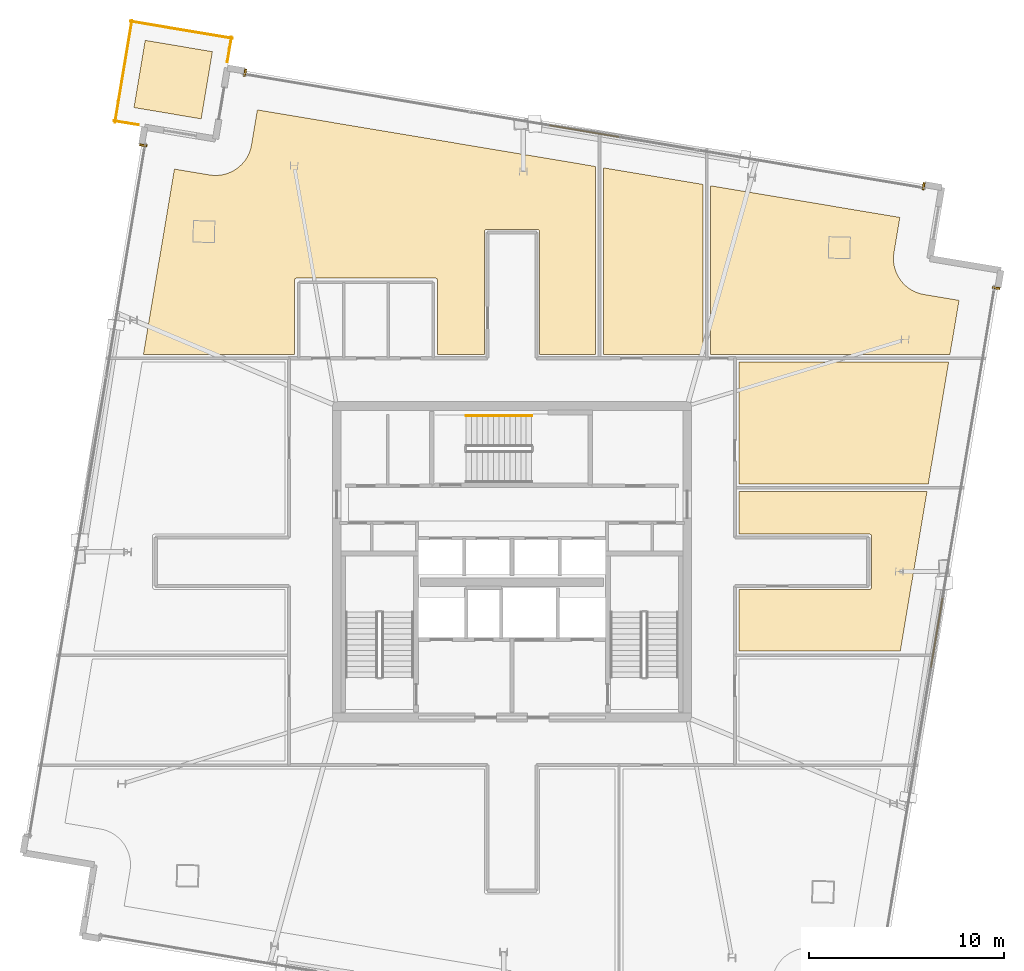
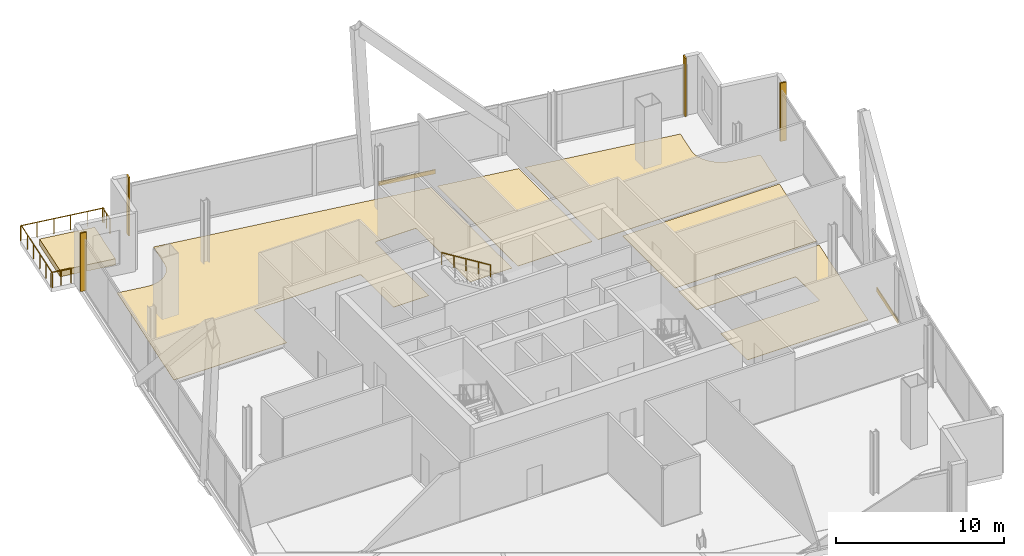
# One storey, part 18 of 18: 12 coverings, 5 railings.
"""IFC4 building model written with IfcOpenShell, lengths in metres."""

from ifc_helpers import new_model, si_unit, direction, frame, origin, origin_2d, place, context, subcontext, project, spatial, polyline, rectangle, outline, extrude, source, transform, mapped, material, layer, layer_set, type_object, element, save


model = new_model("IFC4")

# Units and contexts
model_context = context("Model", 3, precision=1e-05, world=origin(), true_north=direction((0.0, 1.0)))
body_context = subcontext(model_context, "Body", "Model", "MODEL_VIEW")
ifc_project = project(units=[si_unit("LENGTHUNIT", "METRE"), si_unit("AREAUNIT", "SQUARE_METRE"), si_unit("VOLUMEUNIT", "CUBIC_METRE"), si_unit("PLANEANGLEUNIT", "RADIAN"), si_unit("MASSUNIT", "GRAM", prefix="KILO")], contexts=[model_context])

# Site, building, storey
site_placement = place(None, origin())
site = spatial("IfcSite", under=ifc_project, at=site_placement, CompositionType="ELEMENT")
building_placement = place(site_placement, origin())
building = spatial("IfcBuilding", under=site, at=building_placement, Name="Haldenkirk Collegiate Tower", CompositionType="ELEMENT")
storey_placement = place(building_placement, frame((0.0, 0.0, 298.199951171875)))
storey = spatial("IfcBuildingStorey", under=building, at=storey_placement, Name="L75", CompositionType="ELEMENT", Elevation=298.199951171875)

# Coverings
ifc_material_1 = material(Name="Polished collegiate terrazzo", Category="concrete")
ifc_layer_1 = layer(ifc_material_1, 0.02490234375)
ifc_layer_set_1 = layer_set([ifc_layer_1], Name="Polished collegiate terrazzo")
covering_type_1 = type_object("IfcCoveringType", Name="COV-FLOOR-TERRAZZO", PredefinedType="FLOORING", material=ifc_layer_set_1)
covering_1_placement = place(storey_placement, origin())
element("IfcCovering", 1, at=covering_1_placement, inside=storey, type_object=covering_type_1, Name="L75 academic room finish 04", PredefinedType="FLOORING", context=body_context, shape_type="SweptSolid", body=[
    extrude(outline(polyline([(45.800048828125, 45.37841796875), (45.800048828125, 36.64990234375), (40.699951171875, 36.64990234375), (40.699951171875, 46.231689453125), (45.800048828125, 45.37841796875)])), origin(), (0.0, 0.0, 1.0), 0.025146484375),
])
covering_2_placement = place(storey_placement, origin())
element("IfcCovering", 2, at=covering_2_placement, inside=storey, type_object=covering_type_1, Name="L75 academic room finish 10", PredefinedType="FLOORING", context=body_context, shape_type="SweptSolid", body=[
    extrude(outline(polyline([(57.383544921875, 30.0), (47.64990234375, 30.0), (47.64990234375, 36.25), (58.429443359375, 36.25), (57.383544921875, 30.0)])), origin(), (0.0, 0.0, 1.0), 0.025146484375),
])
ifc_material_2 = material(Name="Engineered collegiate oak acoustic flooring", Category="wood")
ifc_layer_2 = layer(ifc_material_2, 0.02197265625)
ifc_layer_set_2 = layer_set([ifc_layer_2], Name="Engineered collegiate oak acoustic flooring")
covering_type_2 = type_object("IfcCoveringType", Name="COV-FLOOR-TIMBER", PredefinedType="FLOORING", material=ifc_layer_set_2)
covering_3_placement = place(storey_placement, origin())
element("IfcCovering", 3, at=covering_3_placement, inside=storey, type_object=covering_type_2, Name="L75 academic room finish 03", PredefinedType="FLOORING", context=body_context, shape_type="SweptSolid", body=[
    extrude(outline(polyline([(20.4658203125, 45.8662109375), (20.4716796875, 45.865478515625), (20.64208984375, 45.845458984375), (20.654052734375, 45.8447265625), (20.82568359375, 45.841552734375), (20.83740234375, 45.841796875), (21.0087890625, 45.855712890625), (21.020263671875, 45.857177734375), (21.189453125, 45.887451171875), (21.20068359375, 45.89013671875), (21.365966796875, 45.936767578125), (21.377197265625, 45.940673828125), (21.537109375, 46.00341796875), (21.5478515625, 46.00830078125), (21.70068359375, 46.086181640625), (21.7109375, 46.09228515625), (21.85546875, 46.18505859375), (21.864990234375, 46.19189453125), (22.0, 46.29833984375), (22.0087890625, 46.30615234375), (22.13232421875, 46.42529296875), (22.140380859375, 46.433837890625), (22.251708984375, 46.564453125), (22.259033203125, 46.57373046875), (22.357177734375, 46.71484375), (22.36328125, 46.724853515625), (22.447021484375, 46.874755859375), (22.452392578125, 46.88525390625), (22.52099609375, 47.042724609375), (22.525146484375, 47.0537109375), (22.578125, 47.217041015625), (22.5810546875, 47.228515625), (22.61767578125, 47.396240234375), (22.618896484375, 47.402099609375), (22.9208984375, 49.206787109375), (40.300048828125, 46.298583984375), (40.300048828125, 36.64990234375), (37.419921875, 36.64990234375), (37.419921875, 42.949951171875), (37.41943359375, 42.9619140625), (37.417724609375, 42.973388671875), (37.414794921875, 42.98486328125), (37.410888671875, 42.995849609375), (37.40576171875, 43.006591796875), (37.39990234375, 43.0166015625), (37.392822265625, 43.026123046875), (37.385009765625, 43.034912109375), (37.376220703125, 43.042724609375), (37.36669921875, 43.0498046875), (37.356689453125, 43.055908203125), (37.345947265625, 43.060791015625), (37.334716796875, 43.064697265625), (37.323486328125, 43.067626953125), (37.311767578125, 43.0693359375), (37.300048828125, 43.070068359375), (34.699951171875, 43.070068359375), (34.688232421875, 43.0693359375), (34.676513671875, 43.067626953125), (34.665283203125, 43.064697265625), (34.654052734375, 43.060791015625), (34.643310546875, 43.055908203125), (34.63330078125, 43.0498046875), (34.623779296875, 43.042724609375), (34.614990234375, 43.034912109375), (34.607177734375, 43.026123046875), (34.60009765625, 43.0166015625), (34.59423828125, 43.006591796875), (34.589111328125, 42.995849609375), (34.585205078125, 42.98486328125), (34.582275390625, 42.973388671875), (34.58056640625, 42.9619140625), (34.580078125, 42.949951171875), (34.580078125, 36.64990234375), (32.169921875, 36.64990234375), (32.169921875, 40.449951171875), (32.16943359375, 40.4619140625), (32.167724609375, 40.473388671875), (32.164794921875, 40.48486328125), (32.160888671875, 40.495849609375), (32.15576171875, 40.506591796875), (32.14990234375, 40.5166015625), (32.142822265625, 40.526123046875), (32.135009765625, 40.534912109375), (32.126220703125, 40.542724609375), (32.11669921875, 40.5498046875), (32.106689453125, 40.555908203125), (32.095947265625, 40.560791015625), (32.084716796875, 40.564697265625), (32.073486328125, 40.567626953125), (32.061767578125, 40.5693359375), (32.050048828125, 40.570068359375), (24.949951171875, 40.570068359375), (24.938232421875, 40.5693359375), (24.926513671875, 40.567626953125), (24.915283203125, 40.564697265625), (24.904052734375, 40.560791015625), (24.893310546875, 40.555908203125), (24.88330078125, 40.5498046875), (24.873779296875, 40.542724609375), (24.864990234375, 40.534912109375), (24.857177734375, 40.526123046875), (24.85009765625, 40.5166015625), (24.84423828125, 40.506591796875), (24.839111328125, 40.495849609375), (24.835205078125, 40.48486328125), (24.832275390625, 40.473388671875), (24.83056640625, 40.4619140625), (24.830078125, 40.449951171875), (24.830078125, 36.64990234375), (17.068115234375, 36.64990234375), (18.660888671875, 46.16845703125), (20.4658203125, 45.8662109375)])), origin(), (0.0, 0.0, 1.0), 0.02197265625),
])
covering_4_placement = place(storey_placement, origin())
element("IfcCovering", 4, at=covering_4_placement, inside=storey, type_object=covering_type_2, Name="L75 academic room finish 05", PredefinedType="FLOORING", context=body_context, shape_type="SweptSolid", body=[
    extrude(outline(polyline([(55.922119140625, 43.6845703125), (55.619873046875, 41.87939453125), (55.619140625, 41.873779296875), (55.59912109375, 41.703125), (55.598388671875, 41.69140625), (55.59521484375, 41.519775390625), (55.595458984375, 41.5078125), (55.609130859375, 41.336669921875), (55.610595703125, 41.3251953125), (55.64111328125, 41.156005859375), (55.643798828125, 41.14453125), (55.6904296875, 40.9794921875), (55.694091796875, 40.968017578125), (55.757080078125, 40.80810546875), (55.76171875, 40.797607421875), (55.83984375, 40.64453125), (55.845703125, 40.634521484375), (55.938720703125, 40.489990234375), (55.9453125, 40.480224609375), (56.052001953125, 40.345458984375), (56.059814453125, 40.336669921875), (56.1787109375, 40.212890625), (56.1875, 40.205078125), (56.318115234375, 40.093505859375), (56.327392578125, 40.08642578125), (56.468505859375, 39.98828125), (56.478515625, 39.98193359375), (56.62841796875, 39.898193359375), (56.638916015625, 39.89306640625), (56.79638671875, 39.824462890625), (56.807373046875, 39.8203125), (56.970703125, 39.767333984375), (56.982177734375, 39.764404296875), (57.14990234375, 39.727783203125), (57.15576171875, 39.7265625), (58.960693359375, 39.424560546875), (58.496337890625, 36.64990234375), (46.199951171875, 36.64990234375), (46.199951171875, 45.311279296875), (55.922119140625, 43.6845703125)])), origin(), (0.0, 0.0, 1.0), 0.02197265625),
])
covering_5_placement = place(storey_placement, origin())
element("IfcCovering", 5, at=covering_5_placement, inside=storey, type_object=covering_type_2, Name="L75 academic room finish 09", PredefinedType="FLOORING", context=body_context, shape_type="SweptSolid", body=[
    extrude(outline(polyline([(54.35009765625, 24.580078125), (54.36181640625, 24.58056640625), (54.373291015625, 24.582275390625), (54.384765625, 24.585205078125), (54.39599609375, 24.589111328125), (54.406494140625, 24.59423828125), (54.416748046875, 24.60009765625), (54.426025390625, 24.607177734375), (54.434814453125, 24.614990234375), (54.44287109375, 24.623779296875), (54.44970703125, 24.63330078125), (54.455810546875, 24.643310546875), (54.4609375, 24.654052734375), (54.46484375, 24.665283203125), (54.4677734375, 24.676513671875), (54.469482421875, 24.688232421875), (54.469970703125, 24.699951171875), (54.469970703125, 27.300048828125), (54.469482421875, 27.311767578125), (54.4677734375, 27.323486328125), (54.46484375, 27.334716796875), (54.4609375, 27.345947265625), (54.455810546875, 27.356689453125), (54.44970703125, 27.36669921875), (54.44287109375, 27.376220703125), (54.434814453125, 27.385009765625), (54.426025390625, 27.392822265625), (54.416748046875, 27.39990234375), (54.406494140625, 27.40576171875), (54.39599609375, 27.410888671875), (54.384765625, 27.414794921875), (54.373291015625, 27.417724609375), (54.36181640625, 27.41943359375), (54.35009765625, 27.419921875), (47.64990234375, 27.419921875), (47.64990234375, 29.60009765625), (57.31640625, 29.60009765625), (55.9443359375, 21.39990234375), (47.64990234375, 21.39990234375), (47.64990234375, 24.580078125), (54.35009765625, 24.580078125)])), origin(), (0.0, 0.0, 1.0), 0.02197265625),
])
ifc_material_3 = material(Name="Precast concrete f'c 40 MPa", Category="concrete")
ifc_layer_3 = layer(ifc_material_3, 0.449951171875)
ifc_layer_set_3 = layer_set([ifc_layer_3], Name="Precast concrete f'c 40 MPa")
covering_type_3 = type_object("IfcCoveringType", Name="COV-PLANTER-450", PredefinedType="USERDEFINED", material=ifc_layer_set_3)
covering_6_placement = place(storey_placement, origin())
element("IfcCovering", 6, at=covering_6_placement, inside=storey, type_object=covering_type_3, Name="L75 planted garden planter bed", ObjectType="PLANTER", PredefinedType="USERDEFINED", context=body_context, shape_type="SweptSolid", body=[
    extrude(outline(polyline([(20.035400390625, 48.746826171875), (16.58349609375, 49.324462890625), (17.160888671875, 52.776611328125), (20.613037109375, 52.198974609375), (20.035400390625, 48.746826171875)])), origin(), (0.0, 0.0, 1.0), 0.449951171875),
])

# Railings
ifc_material_4 = material(Name="Painted architectural tubular steel", Category="steel")
railing_type_1 = type_object("IfcRailingType", Name="RLG-STAIR-HANDRAIL-900", PredefinedType="HANDRAIL", material=ifc_material_4)
railing_1_placement = place(storey_placement, frame((37.010009765625, 33.5, 2.423095703125)))
element("IfcRailing", 7, at=railing_1_placement, inside=storey, type_object=railing_type_1, Name="L75 ST-3 stair handrail 2", PredefinedType="HANDRAIL", context=body_context, shape_type="SweptSolid", body=[
    extrude(rectangle(XDim=0.048095703125, YDim=0.048095703125, at=origin_2d()), frame((0.0, 0.0, 0.8759765625), z_axis=(-0.850623216509, 0.0, 0.525775754039), x_axis=(0.0, -1.0, 0.0)), (0.0, 0.0, 1.0), 3.9501953125),
    extrude(rectangle(XDim=0.0419921875, YDim=0.0419921875, at=origin_2d()), origin(), (0.0, 0.0, 1.0), 0.851806640625),
    extrude(rectangle(XDim=0.0419921875, YDim=0.0419921875, at=origin_2d()), frame((-0.840087890625, 0.0, 0.519287109375)), (0.0, 0.0, 1.0), 0.851806640625),
    extrude(rectangle(XDim=0.0419921875, YDim=0.0419921875, at=origin_2d()), frame((-1.68017578125, 0.0, 1.03857421875)), (0.0, 0.0, 1.0), 0.851806640625),
    extrude(rectangle(XDim=0.0419921875, YDim=0.0419921875, at=origin_2d()), frame((-2.52001953125, 0.0, 1.5576171875)), (0.0, 0.0, 1.0), 0.851806640625),
    extrude(rectangle(XDim=0.0419921875, YDim=0.0419921875, at=origin_2d()), frame((-3.360107421875, 0.0, 2.076904296875)), (0.0, 0.0, 1.0), 0.851806640625),
])
ifc_material_5 = material(Name="Anodised architectural bronze aluminium", Category="aluminium")
railing_type_2 = type_object("IfcRailingType", Name="RLG-TERR-BALUSTRADE-1100", PredefinedType="BALUSTRADE", material=ifc_material_5)
railing_2_placement = place(storey_placement, frame((21.37890625, 51.685302734375, 0.0)))
element("IfcRailing", 8, at=railing_2_placement, inside=storey, type_object=railing_type_2, Name="L75 terrace guard balustrade 1-1", PredefinedType="BALUSTRADE", context=body_context, shape_type="SweptSolid", body=[
    extrude(rectangle(XDim=0.048095703125, YDim=0.048095703125, at=origin_2d()), frame((0.0, 0.0, 1.076171875), z_axis=(0.164955599302, 0.986300993743, 0.0), x_axis=(-0.986300993743, 0.164955599302, 0.0)), (0.0, 0.0, 1.0), 1.2802734375),
    extrude(rectangle(XDim=0.0419921875, YDim=0.0419921875, at=origin_2d()), origin(), (0.0, 0.0, 1.0), 1.052001953125),
    extrude(rectangle(XDim=0.0419921875, YDim=0.0419921875, at=origin_2d()), frame((0.10546875, 0.63134765625, 0.0)), (0.0, 0.0, 1.0), 1.052001953125),
    extrude(rectangle(XDim=0.0419921875, YDim=0.0419921875, at=origin_2d()), frame((0.211181640625, 1.2626953125, 0.0)), (0.0, 0.0, 1.0), 1.052001953125),
])
railing_3_placement = place(storey_placement, frame((21.639404296875, 52.87890625, 0.0)))
element("IfcRailing", 9, at=railing_3_placement, inside=storey, type_object=railing_type_2, Name="L75 terrace guard balustrade 2-1", PredefinedType="BALUSTRADE", context=body_context, shape_type="SweptSolid", body=[
    extrude(rectangle(XDim=0.048095703125, YDim=0.048095703125, at=origin_2d()), frame((0.0, 0.0, 1.076171875), z_axis=(-0.986292893747, 0.165004023418, 0.0), x_axis=(-0.165004023418, -0.986292893747, 0.0)), (0.0, 0.0, 1.0), 5.300048828125),
    extrude(rectangle(XDim=0.0419921875, YDim=0.0419921875, at=origin_2d()), origin(), (0.0, 0.0, 1.0), 1.052001953125),
    extrude(rectangle(XDim=0.0419921875, YDim=0.0419921875, at=origin_2d()), frame((-1.04541015625, 0.1748046875, 0.0)), (0.0, 0.0, 1.0), 1.052001953125),
    extrude(rectangle(XDim=0.0419921875, YDim=0.0419921875, at=origin_2d()), frame((-2.0908203125, 0.349853515625, 0.0)), (0.0, 0.0, 1.0), 1.052001953125),
    extrude(rectangle(XDim=0.0419921875, YDim=0.0419921875, at=origin_2d()), frame((-3.136474609375, 0.524658203125, 0.0)), (0.0, 0.0, 1.0), 1.052001953125),
    extrude(rectangle(XDim=0.0419921875, YDim=0.0419921875, at=origin_2d()), frame((-4.181884765625, 0.69970703125, 0.0)), (0.0, 0.0, 1.0), 1.052001953125),
    extrude(rectangle(XDim=0.0419921875, YDim=0.0419921875, at=origin_2d()), frame((-5.227294921875, 0.87451171875, 0.0)), (0.0, 0.0, 1.0), 1.052001953125),
])
railing_4_placement = place(storey_placement, frame((16.481201171875, 53.802734375, 0.0)))
element("IfcRailing", 10, at=railing_4_placement, inside=storey, type_object=railing_type_2, Name="L75 terrace guard balustrade 3-1", PredefinedType="BALUSTRADE", context=body_context, shape_type="SweptSolid", body=[
    extrude(rectangle(XDim=0.048095703125, YDim=0.048095703125, at=origin_2d()), frame((0.0, 0.0, 1.076171875), z_axis=(-0.165048833507, -0.986285396099, 0.0), x_axis=(0.986285396099, -0.165048833507, 0.0)), (0.0, 0.0, 1.0), 5.300048828125),
    extrude(rectangle(XDim=0.0419921875, YDim=0.0419921875, at=origin_2d()), origin(), (0.0, 0.0, 1.0), 1.052001953125),
    extrude(rectangle(XDim=0.0419921875, YDim=0.0419921875, at=origin_2d()), frame((-0.175048828125, -1.04541015625, 0.0)), (0.0, 0.0, 1.0), 1.052001953125),
    extrude(rectangle(XDim=0.0419921875, YDim=0.0419921875, at=origin_2d()), frame((-0.349853515625, -2.0908203125, 0.0)), (0.0, 0.0, 1.0), 1.052001953125),
    extrude(rectangle(XDim=0.0419921875, YDim=0.0419921875, at=origin_2d()), frame((-0.52490234375, -3.136474609375, 0.0)), (0.0, 0.0, 1.0), 1.052001953125),
    extrude(rectangle(XDim=0.0419921875, YDim=0.0419921875, at=origin_2d()), frame((-0.69970703125, -4.181884765625, 0.0)), (0.0, 0.0, 1.0), 1.052001953125),
    extrude(rectangle(XDim=0.0419921875, YDim=0.0419921875, at=origin_2d()), frame((-0.874755859375, -5.227294921875, 0.0)), (0.0, 0.0, 1.0), 1.052001953125),
])
railing_5_placement = place(storey_placement, frame((15.55712890625, 48.64453125, 0.0)))
element("IfcRailing", 11, at=railing_5_placement, inside=storey, type_object=railing_type_2, Name="L75 terrace guard balustrade 4-1", PredefinedType="BALUSTRADE", context=body_context, shape_type="SweptSolid", body=[
    extrude(rectangle(XDim=0.048095703125, YDim=0.048095703125, at=origin_2d()), frame((0.0, 0.0, 1.076171875), z_axis=(0.986295803262, -0.164986631178, 0.0), x_axis=(0.164986631178, 0.986295803262, 0.0)), (0.0, 0.0, 1.0), 1.280029296875),
    extrude(rectangle(XDim=0.0419921875, YDim=0.0419921875, at=origin_2d()), origin(), (0.0, 0.0, 1.0), 1.052001953125),
    extrude(rectangle(XDim=0.0419921875, YDim=0.0419921875, at=origin_2d()), frame((0.63134765625, -0.10546875, 0.0)), (0.0, 0.0, 1.0), 1.052001953125),
    extrude(rectangle(XDim=0.0419921875, YDim=0.0419921875, at=origin_2d()), frame((1.262451171875, -0.211181640625, 0.0)), (0.0, 0.0, 1.0), 1.052001953125),
])

# Coverings
ifc_layer_4 = layer(ifc_material_5, 0.06005859375)
ifc_layer_set_4 = layer_set([ifc_layer_4], Name="Anodised architectural bronze aluminium")
covering_type_4 = type_object("IfcCoveringType", Name="COV-CLAD-BRONZE-60", PredefinedType="CLADDING", material=ifc_layer_set_4)
shared_shape_1 = source(origin(), body_context, "Body", "SweptSolid", [
    extrude(rectangle(XDim=3.60009765625, YDim=0.06005859375, at=origin_2d()), origin(), (0.0, 0.0, 1.0), 0.300048828125),
])
for number, where, z_axis, x_axis, name in (
    (12, (57.816650390625, 22.34912109375, -0.2998046875), (0.0, 0.0, 1.0), (-0.165047605861, -0.986285601537, 0.0), "L75 architectural bronze spandrel cladding S"),
    (13, (39.700439453125, 48.112548828125, -0.2998046875), (0.0, 0.0, 1.0), (0.986285601537, -0.165047605861, 0.0), "L75 architectural bronze spandrel cladding E"),
):
    element("IfcCovering", number, at=place(storey_placement, frame(where, z_axis=z_axis, x_axis=x_axis)), inside=storey, type_object=covering_type_4, Name=name, PredefinedType="CLADDING", context=body_context, shape_type="MappedRepresentation", body=[
        mapped(shared_shape_1, transform((0.0, 0.0, 0.0), x_axis=(1.0, 0.0, 0.0), y_axis=(0.0, 1.0, 0.0), z_axis=(0.0, 0.0, 1.0), scale=1.0)),
    ])
shared_shape_2 = source(origin(), body_context, "Body", "SweptSolid", [
    extrude(rectangle(XDim=0.10009765625, YDim=0.3798828125, at=origin_2d()), origin(), (0.0, 0.0, 1.0), 4.239990234375),
])
for number, where, z_axis, x_axis, name in (
    (14, (60.871337890625, 40.057861328125, 0.0), (0.0, 0.0, 1.0), (-0.165047605861, -0.986285601537, 0.0), "L75 recessed curtain-wall bronze jamb closure SJL"),
    (15, (22.28759765625, 51.11767578125, 0.0), (0.0, 0.0, 1.0), (0.986285601537, -0.165047605861, 0.0), "L75 recessed curtain-wall bronze jamb closure EJL"),
    (16, (57.142822265625, 45.284912109375, 0.0), (0.0, 0.0, 1.0), (0.986285601537, -0.165047605861, 0.0), "L75 recessed curtain-wall bronze jamb closure EJR"),
    (17, (17.060546875, 47.389404296875, 0.0), (0.0, 0.0, 1.0), (0.165047605861, 0.986285601537, 0.0), "L75 recessed curtain-wall bronze jamb closure NJR"),
):
    element("IfcCovering", number, at=place(storey_placement, frame(where, z_axis=z_axis, x_axis=x_axis)), inside=storey, type_object=covering_type_4, Name=name, PredefinedType="CLADDING", context=body_context, shape_type="MappedRepresentation", body=[
        mapped(shared_shape_2, transform((0.0, 0.0, 0.0), x_axis=(1.0, 0.0, 0.0), y_axis=(0.0, 1.0, 0.0), z_axis=(0.0, 0.0, 1.0), scale=1.0)),
    ])

save(model, "model.ifc")
